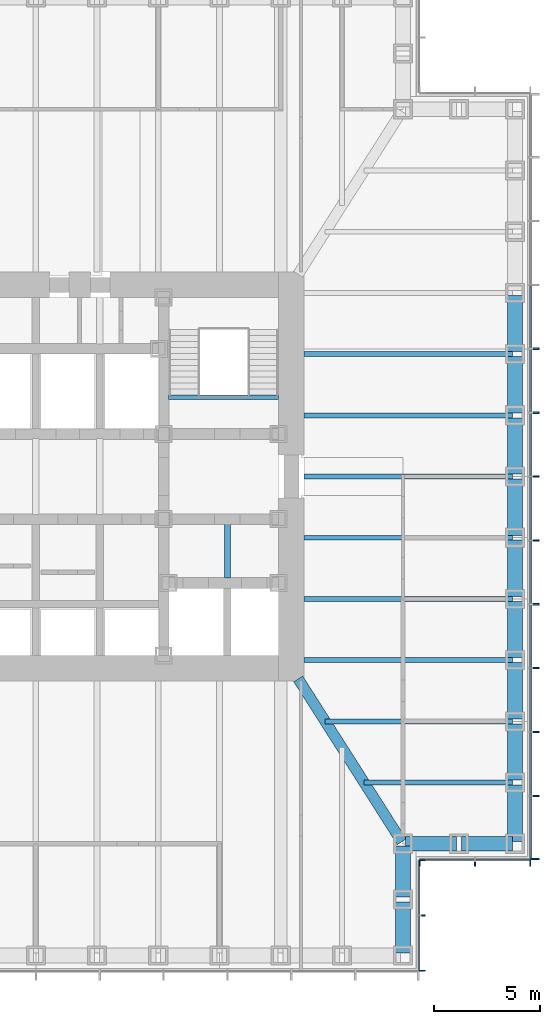
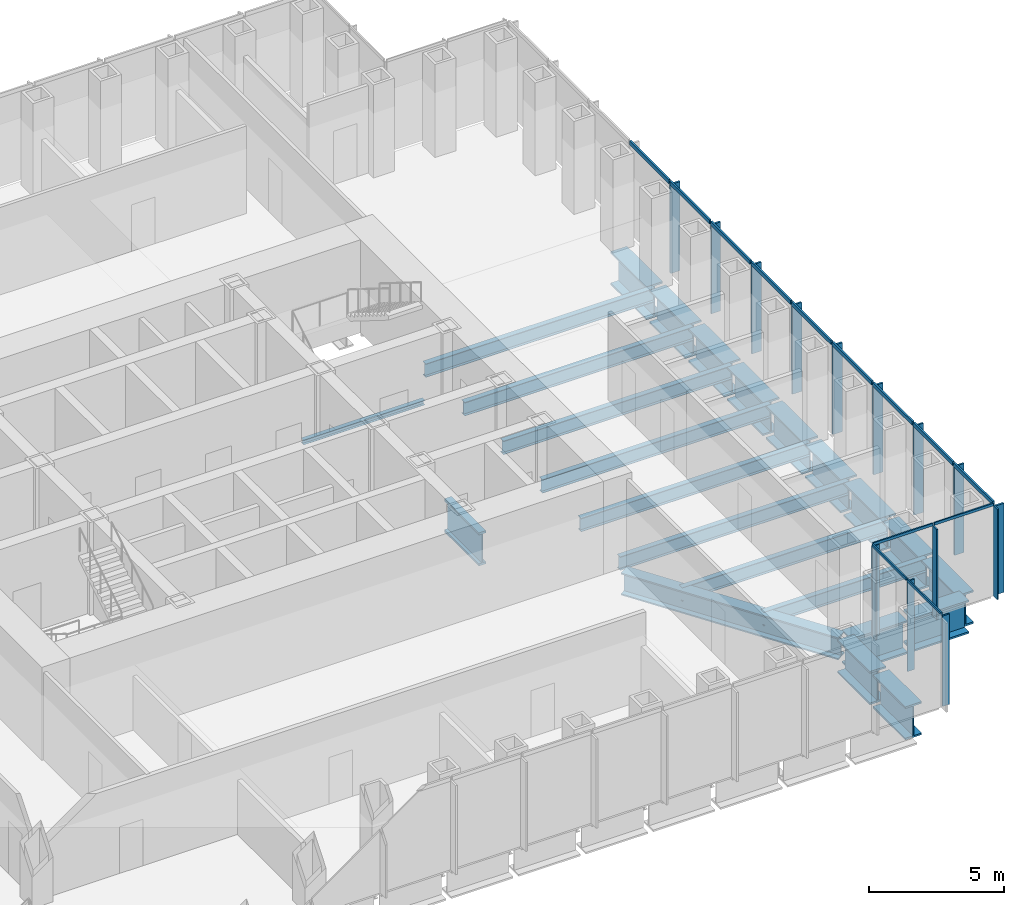
# One storey, part 4 of 17: 28 members, 24 beams, 3 elements without a shape of their own.
"""IFC4 building model written with IfcOpenShell, lengths in metres."""

from ifc_helpers import new_model, si_unit, direction, frame, origin, origin_2d, place, context, subcontext, project, spatial, rectangle, i_section, extrude, material, material_profile, profile_set, type_object, element, aggregate, save


model = new_model("IFC4")

# Units and contexts
model_context = context("Model", 3, precision=1e-05, world=origin(), true_north=direction((0.0, 1.0)))
body_context = subcontext(model_context, "Body", "Model", "MODEL_VIEW")
ifc_project = project(units=[si_unit("LENGTHUNIT", "METRE"), si_unit("AREAUNIT", "SQUARE_METRE"), si_unit("VOLUMEUNIT", "CUBIC_METRE"), si_unit("PLANEANGLEUNIT", "RADIAN"), si_unit("MASSUNIT", "GRAM", prefix="KILO")], contexts=[model_context])

# Site, building, storey
site_placement = place(None, origin())
site = spatial("IfcSite", under=ifc_project, at=site_placement, CompositionType="ELEMENT")
building_placement = place(site_placement, origin())
building = spatial("IfcBuilding", under=site, at=building_placement, Name="Daluyong Arena Tower", CompositionType="ELEMENT")
storey_placement = place(building_placement, frame((0.0, 0.0, 171.10009765625)))
storey = spatial("IfcBuildingStorey", under=building, at=storey_placement, Name="L38", CompositionType="ELEMENT", Elevation=171.10009765625)

# Curtain wall, members
ifc_material_1 = material(Name="Bronze anodised aluminium and glass", Category="aluminium")
curtain_wall_type_1 = type_object("IfcCurtainWallType", Name="Curtain wall CW2", PredefinedType="USERDEFINED", material=ifc_material_1)
curtain_wall_1_placement = place(storey_placement, origin())
curtain_wall_1 = element("IfcCurtainWall", 1, at=curtain_wall_1_placement, inside=storey, type_object=curtain_wall_type_1, Name="curtain wall L38 E", ObjectType="UNITISED CURTAIN WALL", PredefinedType="USERDEFINED")
ifc_material_2 = material(Name="Bronze anodised aluminium fin", Category="aluminium")
ifc_material_profile_1 = material_profile(ifc_material_2, rectangle(XDim=0.39990234375, YDim=0.080078125, at=origin_2d()))
ifc_profile_set_1 = profile_set([ifc_material_profile_1], Name="Bronze anodised aluminium fin")
member_type_1 = type_object("IfcMemberType", Name="CW2 bronze fin 400x80", PredefinedType="MULLION", material=ifc_profile_set_1)
member_1_placement = place(storey_placement, frame((79.449951171875, 62.0400390625, 0.0), z_axis=(0.0, 0.0, 1.0), x_axis=(-1.0, 0.0, 0.0)))
member_1 = element("IfcMember", 2, at=member_1_placement, type_object=member_type_1, Name="curtain wall L38 E fin 1", PredefinedType="MULLION", context=body_context, shape_type="SweptSolid", body=[
    extrude(rectangle(XDim=0.39990234375, YDim=0.080078125, at=origin_2d()), origin(), (0.0, 0.0, 1.0), 4.02001953125),
])
member_2_placement = place(storey_placement, frame((79.449951171875, 65.0, 0.0), z_axis=(0.0, 0.0, 1.0), x_axis=(-1.0, 0.0, 0.0)))
member_2 = element("IfcMember", 3, at=member_2_placement, type_object=member_type_1, Name="curtain wall L38 E fin 2", PredefinedType="MULLION", context=body_context, shape_type="SweptSolid", body=[
    extrude(rectangle(XDim=0.39990234375, YDim=0.080078125, at=origin_2d()), origin(), (0.0, 0.0, 1.0), 4.02001953125),
])
member_3_placement = place(storey_placement, frame((79.449951171875, 68.0, 0.0), z_axis=(0.0, 0.0, 1.0), x_axis=(-1.0, 0.0, 0.0)))
member_3 = element("IfcMember", 4, at=member_3_placement, type_object=member_type_1, Name="curtain wall L38 E fin 3", PredefinedType="MULLION", context=body_context, shape_type="SweptSolid", body=[
    extrude(rectangle(XDim=0.39990234375, YDim=0.080078125, at=origin_2d()), origin(), (0.0, 0.0, 1.0), 4.02001953125),
])
member_4_placement = place(storey_placement, frame((79.449951171875, 71.0, 0.0), z_axis=(0.0, 0.0, 1.0), x_axis=(-1.0, 0.0, 0.0)))
member_4 = element("IfcMember", 5, at=member_4_placement, type_object=member_type_1, Name="curtain wall L38 E fin 4", PredefinedType="MULLION", context=body_context, shape_type="SweptSolid", body=[
    extrude(rectangle(XDim=0.39990234375, YDim=0.080078125, at=origin_2d()), origin(), (0.0, 0.0, 1.0), 4.02001953125),
])
member_5_placement = place(storey_placement, frame((79.449951171875, 74.0, 0.0), z_axis=(0.0, 0.0, 1.0), x_axis=(-1.0, 0.0, 0.0)))
member_5 = element("IfcMember", 6, at=member_5_placement, type_object=member_type_1, Name="curtain wall L38 E fin 5", PredefinedType="MULLION", context=body_context, shape_type="SweptSolid", body=[
    extrude(rectangle(XDim=0.39990234375, YDim=0.080078125, at=origin_2d()), origin(), (0.0, 0.0, 1.0), 4.02001953125),
])
member_6_placement = place(storey_placement, frame((79.449951171875, 77.0, 0.0), z_axis=(0.0, 0.0, 1.0), x_axis=(-1.0, 0.0, 0.0)))
member_6 = element("IfcMember", 7, at=member_6_placement, type_object=member_type_1, Name="curtain wall L38 E fin 6", PredefinedType="MULLION", context=body_context, shape_type="SweptSolid", body=[
    extrude(rectangle(XDim=0.39990234375, YDim=0.080078125, at=origin_2d()), origin(), (0.0, 0.0, 1.0), 4.02001953125),
])
member_7_placement = place(storey_placement, frame((79.449951171875, 80.0, 0.0), z_axis=(0.0, 0.0, 1.0), x_axis=(-1.0, 0.0, 0.0)))
member_7 = element("IfcMember", 8, at=member_7_placement, type_object=member_type_1, Name="curtain wall L38 E fin 7", PredefinedType="MULLION", context=body_context, shape_type="SweptSolid", body=[
    extrude(rectangle(XDim=0.39990234375, YDim=0.080078125, at=origin_2d()), origin(), (0.0, 0.0, 1.0), 4.02001953125),
])
member_8_placement = place(storey_placement, frame((79.449951171875, 83.0, 0.0), z_axis=(0.0, 0.0, 1.0), x_axis=(-1.0, 0.0, 0.0)))
member_8 = element("IfcMember", 9, at=member_8_placement, type_object=member_type_1, Name="curtain wall L38 E fin 8", PredefinedType="MULLION", context=body_context, shape_type="SweptSolid", body=[
    extrude(rectangle(XDim=0.39990234375, YDim=0.080078125, at=origin_2d()), origin(), (0.0, 0.0, 1.0), 4.02001953125),
])
member_9_placement = place(storey_placement, frame((79.449951171875, 86.0, 0.0), z_axis=(0.0, 0.0, 1.0), x_axis=(-1.0, 0.0, 0.0)))
member_9 = element("IfcMember", 10, at=member_9_placement, type_object=member_type_1, Name="curtain wall L38 E fin 9", PredefinedType="MULLION", context=body_context, shape_type="SweptSolid", body=[
    extrude(rectangle(XDim=0.39990234375, YDim=0.080078125, at=origin_2d()), origin(), (0.0, 0.0, 1.0), 4.02001953125),
])
ifc_material_3 = material(Name="Bronze anodised aluminium", Category="aluminium")
ifc_material_profile_2 = material_profile(ifc_material_3, rectangle(XDim=0.080078125, YDim=0.179931640625, at=origin_2d()))
ifc_profile_set_2 = profile_set([ifc_material_profile_2], Name="Bronze anodised aluminium")
member_type_2 = type_object("IfcMemberType", Name="CW2 stack transom 180x80", PredefinedType="USERDEFINED", material=ifc_profile_set_2)
member_10_placement = place(storey_placement, frame((79.25, 62.080078125, 4.10986328125), z_axis=(0.0, 1.0, 0.0), x_axis=(-1.0, 0.0, 0.0)))
member_10 = element("IfcMember", 11, at=member_10_placement, type_object=member_type_2, Name="curtain wall L38 E transom 1", ObjectType="TRANSOM", PredefinedType="USERDEFINED", context=body_context, shape_type="SweptSolid", body=[
    extrude(rectangle(XDim=0.080078125, YDim=0.179931640625, at=origin_2d()), origin(), (0.0, 0.0, 1.0), 2.8798828125),
])
member_11_placement = place(storey_placement, frame((79.25, 65.0400390625, 4.10986328125), z_axis=(0.0, 1.0, 0.0), x_axis=(-1.0, 0.0, 0.0)))
member_11 = element("IfcMember", 12, at=member_11_placement, type_object=member_type_2, Name="curtain wall L38 E transom 2", ObjectType="TRANSOM", PredefinedType="USERDEFINED", context=body_context, shape_type="SweptSolid", body=[
    extrude(rectangle(XDim=0.080078125, YDim=0.179931640625, at=origin_2d()), origin(), (0.0, 0.0, 1.0), 2.919921875),
])
member_12_placement = place(storey_placement, frame((79.25, 68.0400390625, 4.10986328125), z_axis=(0.0, 1.0, 0.0), x_axis=(-1.0, 0.0, 0.0)))
member_12 = element("IfcMember", 13, at=member_12_placement, type_object=member_type_2, Name="curtain wall L38 E transom 3", ObjectType="TRANSOM", PredefinedType="USERDEFINED", context=body_context, shape_type="SweptSolid", body=[
    extrude(rectangle(XDim=0.080078125, YDim=0.179931640625, at=origin_2d()), origin(), (0.0, 0.0, 1.0), 2.919921875),
])
member_13_placement = place(storey_placement, frame((79.25, 71.0400390625, 4.10986328125), z_axis=(0.0, 1.0, 0.0), x_axis=(-1.0, 0.0, 0.0)))
member_13 = element("IfcMember", 14, at=member_13_placement, type_object=member_type_2, Name="curtain wall L38 E transom 4", ObjectType="TRANSOM", PredefinedType="USERDEFINED", context=body_context, shape_type="SweptSolid", body=[
    extrude(rectangle(XDim=0.080078125, YDim=0.179931640625, at=origin_2d()), origin(), (0.0, 0.0, 1.0), 2.919921875),
])
member_14_placement = place(storey_placement, frame((79.25, 74.0400390625, 4.10986328125), z_axis=(0.0, 1.0, 0.0), x_axis=(-1.0, 0.0, 0.0)))
member_14 = element("IfcMember", 15, at=member_14_placement, type_object=member_type_2, Name="curtain wall L38 E transom 5", ObjectType="TRANSOM", PredefinedType="USERDEFINED", context=body_context, shape_type="SweptSolid", body=[
    extrude(rectangle(XDim=0.080078125, YDim=0.179931640625, at=origin_2d()), origin(), (0.0, 0.0, 1.0), 2.919921875),
])
member_15_placement = place(storey_placement, frame((79.25, 77.0400390625, 4.10986328125), z_axis=(0.0, 1.0, 0.0), x_axis=(-1.0, 0.0, 0.0)))
member_15 = element("IfcMember", 16, at=member_15_placement, type_object=member_type_2, Name="curtain wall L38 E transom 6", ObjectType="TRANSOM", PredefinedType="USERDEFINED", context=body_context, shape_type="SweptSolid", body=[
    extrude(rectangle(XDim=0.080078125, YDim=0.179931640625, at=origin_2d()), origin(), (0.0, 0.0, 1.0), 2.919921875),
])
member_16_placement = place(storey_placement, frame((79.25, 80.0400390625, 4.10986328125), z_axis=(0.0, 1.0, 0.0), x_axis=(-1.0, 0.0, 0.0)))
member_16 = element("IfcMember", 17, at=member_16_placement, type_object=member_type_2, Name="curtain wall L38 E transom 7", ObjectType="TRANSOM", PredefinedType="USERDEFINED", context=body_context, shape_type="SweptSolid", body=[
    extrude(rectangle(XDim=0.080078125, YDim=0.179931640625, at=origin_2d()), origin(), (0.0, 0.0, 1.0), 2.919921875),
])
member_17_placement = place(storey_placement, frame((79.25, 83.0400390625, 4.10986328125), z_axis=(0.0, 1.0, 0.0), x_axis=(-1.0, 0.0, 0.0)))
member_17 = element("IfcMember", 18, at=member_17_placement, type_object=member_type_2, Name="curtain wall L38 E transom 8", ObjectType="TRANSOM", PredefinedType="USERDEFINED", context=body_context, shape_type="SweptSolid", body=[
    extrude(rectangle(XDim=0.080078125, YDim=0.179931640625, at=origin_2d()), origin(), (0.0, 0.0, 1.0), 2.919921875),
])
member_18_placement = place(storey_placement, frame((79.25, 86.0400390625, 4.10986328125), z_axis=(0.0, 1.0, 0.0), x_axis=(-1.0, 0.0, 0.0)))
member_18 = element("IfcMember", 19, at=member_18_placement, type_object=member_type_2, Name="curtain wall L38 E transom 9", ObjectType="TRANSOM", PredefinedType="USERDEFINED", context=body_context, shape_type="SweptSolid", body=[
    extrude(rectangle(XDim=0.080078125, YDim=0.179931640625, at=origin_2d()), origin(), (0.0, 0.0, 1.0), 2.919921875),
])
aggregate(curtain_wall_1, [member_1, member_2, member_3, member_4, member_5, member_6, member_7, member_8, member_9, member_10, member_11, member_12, member_13, member_14, member_15, member_16, member_17, member_18])

ifc_material_4 = material(Name="Bronze anodised aluminium and glass", Category="aluminium")
curtain_wall_type_2 = type_object("IfcCurtainWallType", Name="Curtain wall CW7", PredefinedType="USERDEFINED", material=ifc_material_4)
curtain_wall_2_placement = place(storey_placement, origin())
curtain_wall_2 = element("IfcCurtainWall", 20, at=curtain_wall_2_placement, inside=storey, type_object=curtain_wall_type_2, Name="curtain wall L38 SE-E", ObjectType="UNITISED CURTAIN WALL", PredefinedType="USERDEFINED")
ifc_material_5 = material(Name="Bronze anodised aluminium fin", Category="aluminium")
ifc_material_profile_3 = material_profile(ifc_material_5, rectangle(XDim=0.300048828125, YDim=0.06005859375, at=origin_2d()))
ifc_profile_set_3 = profile_set([ifc_material_profile_3], Name="Bronze anodised aluminium fin")
member_type_3 = type_object("IfcMemberType", Name="CW7 bronze fin 300x60", PredefinedType="MULLION", material=ifc_profile_set_3)
member_19_placement = place(storey_placement, frame((74.14990234375, 56.780029296875, 0.0), z_axis=(0.0, 0.0, 1.0), x_axis=(-1.0, 0.0, 0.0)))
member_19 = element("IfcMember", 21, at=member_19_placement, type_object=member_type_3, Name="curtain wall L38 SE-E fin 1", PredefinedType="MULLION", context=body_context, shape_type="SweptSolid", body=[
    extrude(rectangle(XDim=0.300048828125, YDim=0.06005859375, at=origin_2d()), origin(), (0.0, 0.0, 1.0), 4.079833984375),
])
member_20_placement = place(storey_placement, frame((74.14990234375, 59.375, 0.0), z_axis=(0.0, 0.0, 1.0), x_axis=(-1.0, 0.0, 0.0)))
member_20 = element("IfcMember", 22, at=member_20_placement, type_object=member_type_3, Name="curtain wall L38 SE-E fin 2", PredefinedType="MULLION", context=body_context, shape_type="SweptSolid", body=[
    extrude(rectangle(XDim=0.300048828125, YDim=0.06005859375, at=origin_2d()), origin(), (0.0, 0.0, 1.0), 4.079833984375),
])
member_21_placement = place(storey_placement, frame((74.14990234375, 61.969970703125, 0.0), z_axis=(0.0, 0.0, 1.0), x_axis=(-1.0, 0.0, 0.0)))
member_21 = element("IfcMember", 23, at=member_21_placement, type_object=member_type_3, Name="curtain wall L38 SE-E fin 3", PredefinedType="MULLION", context=body_context, shape_type="SweptSolid", body=[
    extrude(rectangle(XDim=0.300048828125, YDim=0.06005859375, at=origin_2d()), origin(), (0.0, 0.0, 1.0), 4.079833984375),
])

curtain_wall_3_placement = place(storey_placement, origin())
curtain_wall_3 = element("IfcCurtainWall", 24, at=curtain_wall_3_placement, inside=storey, type_object=curtain_wall_type_2, Name="curtain wall L38 SE-S", ObjectType="UNITISED CURTAIN WALL", PredefinedType="USERDEFINED")
member_22_placement = place(storey_placement, frame((74.030029296875, 61.85009765625, 0.0), z_axis=(0.0, 0.0, 1.0), x_axis=(0.0, 1.0, 0.0)))
member_22 = element("IfcMember", 25, at=member_22_placement, type_object=member_type_3, Name="curtain wall L38 SE-S fin 1", PredefinedType="MULLION", context=body_context, shape_type="SweptSolid", body=[
    extrude(rectangle(XDim=0.300048828125, YDim=0.06005859375, at=origin_2d()), origin(), (0.0, 0.0, 1.0), 4.079833984375),
])
member_23_placement = place(storey_placement, frame((76.625, 61.85009765625, 0.0), z_axis=(0.0, 0.0, 1.0), x_axis=(0.0, 1.0, 0.0)))
member_23 = element("IfcMember", 26, at=member_23_placement, type_object=member_type_3, Name="curtain wall L38 SE-S fin 2", PredefinedType="MULLION", context=body_context, shape_type="SweptSolid", body=[
    extrude(rectangle(XDim=0.300048828125, YDim=0.06005859375, at=origin_2d()), origin(), (0.0, 0.0, 1.0), 4.079833984375),
])
member_24_placement = place(storey_placement, frame((79.219970703125, 61.85009765625, 0.0), z_axis=(0.0, 0.0, 1.0), x_axis=(0.0, 1.0, 0.0)))
member_24 = element("IfcMember", 27, at=member_24_placement, type_object=member_type_3, Name="curtain wall L38 SE-S fin 3", PredefinedType="MULLION", context=body_context, shape_type="SweptSolid", body=[
    extrude(rectangle(XDim=0.300048828125, YDim=0.06005859375, at=origin_2d()), origin(), (0.0, 0.0, 1.0), 4.079833984375),
])

# Member
ifc_material_6 = material(Name="Bronze anodised aluminium", Category="aluminium")
ifc_material_profile_4 = material_profile(ifc_material_6, rectangle(XDim=0.06005859375, YDim=0.1201171875, at=origin_2d()))
ifc_profile_set_4 = profile_set([ifc_material_profile_4], Name="Bronze anodised aluminium")
member_type_4 = type_object("IfcMemberType", Name="CW7 stack transom 120x60", PredefinedType="USERDEFINED", material=ifc_profile_set_4)
member_25_placement = place(storey_placement, frame((74.0, 56.81005859375, 4.139892578125), z_axis=(0.0, 1.0, 0.0), x_axis=(-1.0, 0.0, 0.0)))
member_25 = element("IfcMember", 28, at=member_25_placement, type_object=member_type_4, Name="curtain wall L38 SE-E transom 1", ObjectType="TRANSOM", PredefinedType="USERDEFINED", context=body_context, shape_type="SweptSolid", body=[
    extrude(rectangle(XDim=0.06005859375, YDim=0.1201171875, at=origin_2d()), origin(), (0.0, 0.0, 1.0), 2.534912109375),
])

member_26_placement = place(storey_placement, frame((74.0, 59.405029296875, 4.139892578125), z_axis=(0.0, 1.0, 0.0), x_axis=(-1.0, 0.0, 0.0)))
member_26 = element("IfcMember", 29, at=member_26_placement, type_object=member_type_4, Name="curtain wall L38 SE-E transom 2", ObjectType="TRANSOM", PredefinedType="USERDEFINED", context=body_context, shape_type="SweptSolid", body=[
    extrude(rectangle(XDim=0.06005859375, YDim=0.1201171875, at=origin_2d()), origin(), (0.0, 0.0, 1.0), 2.534912109375),
])

aggregate(curtain_wall_2, [member_19, member_20, member_21, member_25, member_26])

member_27_placement = place(storey_placement, frame((74.06005859375, 62.0, 4.139892578125), z_axis=(1.0, 0.0, 0.0), x_axis=(0.0, 1.0, 0.0)))
member_27 = element("IfcMember", 30, at=member_27_placement, type_object=member_type_4, Name="curtain wall L38 SE-S transom 1", ObjectType="TRANSOM", PredefinedType="USERDEFINED", context=body_context, shape_type="SweptSolid", body=[
    extrude(rectangle(XDim=0.06005859375, YDim=0.1201171875, at=origin_2d()), origin(), (0.0, 0.0, 1.0), 2.534912109375),
])

member_28_placement = place(storey_placement, frame((76.655029296875, 62.0, 4.139892578125), z_axis=(1.0, 0.0, 0.0), x_axis=(0.0, 1.0, 0.0)))
member_28 = element("IfcMember", 31, at=member_28_placement, type_object=member_type_4, Name="curtain wall L38 SE-S transom 2", ObjectType="TRANSOM", PredefinedType="USERDEFINED", context=body_context, shape_type="SweptSolid", body=[
    extrude(rectangle(XDim=0.06005859375, YDim=0.1201171875, at=origin_2d()), origin(), (0.0, 0.0, 1.0), 2.534912109375),
])

aggregate(curtain_wall_3, [member_22, member_23, member_24, member_27, member_28])

# Beams
ifc_material_7 = material(Name="Steel ASTM A572 Grade 50", Category="steel")
ifc_material_profile_5 = material_profile(ifc_material_7, i_section(OverallWidth=0.5, OverallDepth=1.0, WebThickness=0.03, FlangeThickness=0.06, at=origin_2d()))
ifc_profile_set_5 = profile_set([ifc_material_profile_5], Name="Steel ASTM A572 Grade 50")
beam_type_1 = type_object("IfcBeamType", Name="Corner girder TB1000X500", PredefinedType="BEAM", material=ifc_profile_set_5)
beam_1_placement = place(storey_placement, frame((73.188232421875, 62.846923828125, -0.66015625), z_axis=(-0.536872006459, 0.843663705916, 0.0), x_axis=(-0.843663705916, -0.536872006459, 0.0)))
element("IfcBeam", 32, at=beam_1_placement, inside=storey, type_object=beam_type_1, Name="corner girder DG2", PredefinedType="BEAM", context=body_context, shape_type="SweptSolid", body=[
    extrude(i_section(OverallWidth=0.5, OverallDepth=1.0, WebThickness=0.03, FlangeThickness=0.06, at=origin_2d()), origin(), (0.0, 0.0, 1.0), 9.06396484375),
])
ifc_material_8 = material(Name="Steel ASTM A992 Grade 50", Category="steel")
ifc_material_profile_6 = material_profile(ifc_material_8, i_section(OverallWidth=0.22900390625, OverallDepth=0.612060546875, WebThickness=0.011962890625, FlangeThickness=0.01953125, at=origin_2d()))
ifc_profile_set_6 = profile_set([ifc_material_profile_6], Name="Steel ASTM A992 Grade 50")
beam_type_2 = type_object("IfcBeamType", Name="Floor beam W24X84", PredefinedType="BEAM", material=ifc_profile_set_6)
beam_2_placement = place(storey_placement, frame((78.385009765625, 65.625, -0.466064453125), z_axis=(-1.0, 0.0, 0.0), x_axis=(0.0, -1.0, 0.0)))
element("IfcBeam", 33, at=beam_2_placement, inside=storey, type_object=beam_type_2, Name="floor beam FB3", PredefinedType="BEAM", context=body_context, shape_type="SweptSolid", body=[
    extrude(i_section(OverallWidth=0.22900390625, OverallDepth=0.612060546875, WebThickness=0.011962890625, FlangeThickness=0.01953125, at=origin_2d()), origin(), (0.0, 0.0, 1.0), 6.964599609375),
])
beam_3_placement = place(storey_placement, frame((78.385009765625, 68.5, -0.466064453125), z_axis=(-1.0, 0.0, 0.0), x_axis=(0.0, -1.0, 0.0)))
element("IfcBeam", 34, at=beam_3_placement, inside=storey, type_object=beam_type_2, Name="floor beam FB3", PredefinedType="BEAM", context=body_context, shape_type="SweptSolid", body=[
    extrude(i_section(OverallWidth=0.22900390625, OverallDepth=0.612060546875, WebThickness=0.011962890625, FlangeThickness=0.01953125, at=origin_2d()), origin(), (0.0, 0.0, 1.0), 8.794189453125),
])
for number, where, z_axis, x_axis, name in (
    (35, (78.385009765625, 71.375, -0.466064453125), (-1.0, 0.0, 0.0), (0.0, -1.0, 0.0), "floor beam FB3"),
    (36, (78.385009765625, 74.25, -0.466064453125), (-1.0, 0.0, 0.0), (0.0, -1.0, 0.0), "floor beam FB3"),
    (37, (78.385009765625, 77.125, -0.466064453125), (-1.0, 0.0, 0.0), (0.0, -1.0, 0.0), "floor beam FB3"),
    (38, (78.385009765625, 80.0, -0.466064453125), (-1.0, 0.0, 0.0), (0.0, -1.0, 0.0), "floor beam FB3"),
    (39, (78.385009765625, 82.875, -0.466064453125), (-1.0, 0.0, 0.0), (0.0, -1.0, 0.0), "floor beam FB3"),
    (40, (78.385009765625, 85.75, -0.466064453125), (-1.0, 0.0, 0.0), (0.0, -1.0, 0.0), "floor beam FB3"),
):
    element("IfcBeam", number, at=place(storey_placement, frame(where, z_axis=z_axis, x_axis=x_axis)), inside=storey, type_object=beam_type_2, Name=name, PredefinedType="BEAM", context=body_context, shape_type="SweptSolid", body=[
        extrude(i_section(OverallWidth=0.22900390625, OverallDepth=0.612060546875, WebThickness=0.011962890625, FlangeThickness=0.01953125, at=origin_2d()), origin(), (0.0, 0.0, 1.0), 9.784912109375),
    ])
ifc_material_9 = material(Name="Steel ASTM A572 Grade 50", Category="steel")
ifc_material_profile_7 = material_profile(ifc_material_9, i_section(OverallWidth=0.300048828125, OverallDepth=1.5, WebThickness=0.04, FlangeThickness=0.1, at=origin_2d()))
ifc_profile_set_7 = profile_set([ifc_material_profile_7], Name="Steel ASTM A572 Grade 50")
beam_type_3 = type_object("IfcBeamType", Name="Lift divider beam PG1500X300", PredefinedType="BEAM", material=ifc_profile_set_7)
beam_4_placement = place(storey_placement, frame((65.0, 75.22509765625, -0.91015625), z_axis=(0.0, 1.0, 0.0), x_axis=(-1.0, 0.0, 0.0)))
element("IfcBeam", 41, at=beam_4_placement, inside=storey, type_object=beam_type_3, Name="lift divider beam DB2", PredefinedType="BEAM", context=body_context, shape_type="SweptSolid", body=[
    extrude(i_section(OverallWidth=0.300048828125, OverallDepth=1.5, WebThickness=0.04, FlangeThickness=0.1, at=origin_2d()), origin(), (0.0, 0.0, 1.0), 2.5498046875),
])
ifc_material_10 = material(Name="Steel ASTM A572 Grade 50", Category="steel")
ifc_material_profile_8 = material_profile(ifc_material_10, i_section(OverallWidth=0.699951171875, OverallDepth=1.5, WebThickness=0.04, FlangeThickness=0.08, at=origin_2d()))
ifc_profile_set_8 = profile_set([ifc_material_profile_8], Name="Steel ASTM A572 Grade 50")
beam_type_4 = type_object("IfcBeamType", Name="Spandrel Z2 PG1500X700", PredefinedType="SPANDREL", material=ifc_profile_set_8)
for number, where, z_axis, x_axis, name in (
    (42, (73.25, 57.614990234375, -0.91015625), (0.0, 1.0, 0.0), (-1.0, 0.0, 0.0), "spandrel z2 SB6"),
    (43, (73.25, 60.239990234375, -0.91015625), (0.0, 1.0, 0.0), (-1.0, 0.0, 0.0), "spandrel z2 SB6"),
    (44, (73.364990234375, 62.75, -0.91015625), (1.0, 0.0, 0.0), (0.0, 1.0, 0.0), "spandrel z2 SB6"),
    (45, (75.989990234375, 62.75, -0.91015625), (1.0, 0.0, 0.0), (0.0, 1.0, 0.0), "spandrel z2 SB6"),
):
    element("IfcBeam", number, at=place(storey_placement, frame(where, z_axis=z_axis, x_axis=x_axis)), inside=storey, type_object=beam_type_4, Name=name, PredefinedType="SPANDREL", context=body_context, shape_type="SweptSolid", body=[
        extrude(i_section(OverallWidth=0.699951171875, OverallDepth=1.5, WebThickness=0.04, FlangeThickness=0.08, at=origin_2d()), origin(), (0.0, 0.0, 1.0), 2.39501953125),
    ])
for number, where, z_axis, x_axis, name in (
    (46, (78.5, 62.864990234375, -0.91015625), (0.0, 1.0, 0.0), (-1.0, 0.0, 0.0), "spandrel z2 SB6"),
    (47, (78.5, 65.739990234375, -0.91015625), (0.0, 1.0, 0.0), (-1.0, 0.0, 0.0), "spandrel z2 SB6"),
    (48, (78.5, 68.614990234375, -0.91015625), (0.0, 1.0, 0.0), (-1.0, 0.0, 0.0), "spandrel z2 SB6"),
    (49, (78.5, 71.489990234375, -0.91015625), (0.0, 1.0, 0.0), (-1.0, 0.0, 0.0), "spandrel z2 SB6"),
    (50, (78.5, 74.364990234375, -0.91015625), (0.0, 1.0, 0.0), (-1.0, 0.0, 0.0), "spandrel z2 SB6"),
    (51, (78.5, 77.239990234375, -0.91015625), (0.0, 1.0, 0.0), (-1.0, 0.0, 0.0), "spandrel z2 SB6"),
    (52, (78.5, 80.114990234375, -0.91015625), (0.0, 1.0, 0.0), (-1.0, 0.0, 0.0), "spandrel z2 SB6"),
    (53, (78.5, 82.989990234375, -0.91015625), (0.0, 1.0, 0.0), (-1.0, 0.0, 0.0), "spandrel z2 SB6"),
    (54, (78.5, 85.864990234375, -0.91015625), (0.0, 1.0, 0.0), (-1.0, 0.0, 0.0), "spandrel z2 SB6"),
):
    element("IfcBeam", number, at=place(storey_placement, frame(where, z_axis=z_axis, x_axis=x_axis)), inside=storey, type_object=beam_type_4, Name=name, PredefinedType="SPANDREL", context=body_context, shape_type="SweptSolid", body=[
        extrude(i_section(OverallWidth=0.699951171875, OverallDepth=1.5, WebThickness=0.04, FlangeThickness=0.08, at=origin_2d()), origin(), (0.0, 0.0, 1.0), 2.64501953125),
    ])
ifc_material_11 = material(Name="Steel ASTM A992 Grade 50", Category="steel")
ifc_material_profile_9 = material_profile(ifc_material_11, i_section(OverallWidth=0.203125, OverallDepth=0.203125, WebThickness=0.00732421875, FlangeThickness=0.010986328125, at=origin_2d()))
ifc_profile_set_9 = profile_set([ifc_material_profile_9], Name="Steel ASTM A992 Grade 50")
beam_type_5 = type_object("IfcBeamType", Name="Stair landing beam W8X31", PredefinedType="BEAM", material=ifc_profile_set_9)
beam_5_placement = place(storey_placement, frame((62.22509765625, 83.723388671875, -0.26171875), z_axis=(1.0, 0.0, 0.0), x_axis=(0.0, 1.0, 0.0)))
element("IfcBeam", 55, at=beam_5_placement, inside=storey, type_object=beam_type_5, Name="exit stair B landing beam", PredefinedType="BEAM", context=body_context, shape_type="SweptSolid", body=[
    extrude(i_section(OverallWidth=0.203125, OverallDepth=0.203125, WebThickness=0.00732421875, FlangeThickness=0.010986328125, at=origin_2d()), origin(), (0.0, 0.0, 1.0), 5.1748046875),
])

save(model, "model.ifc")
